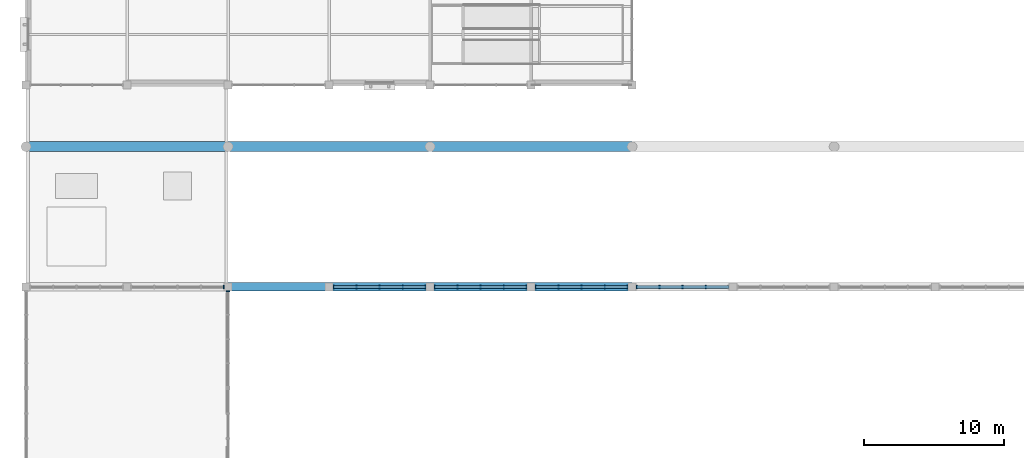
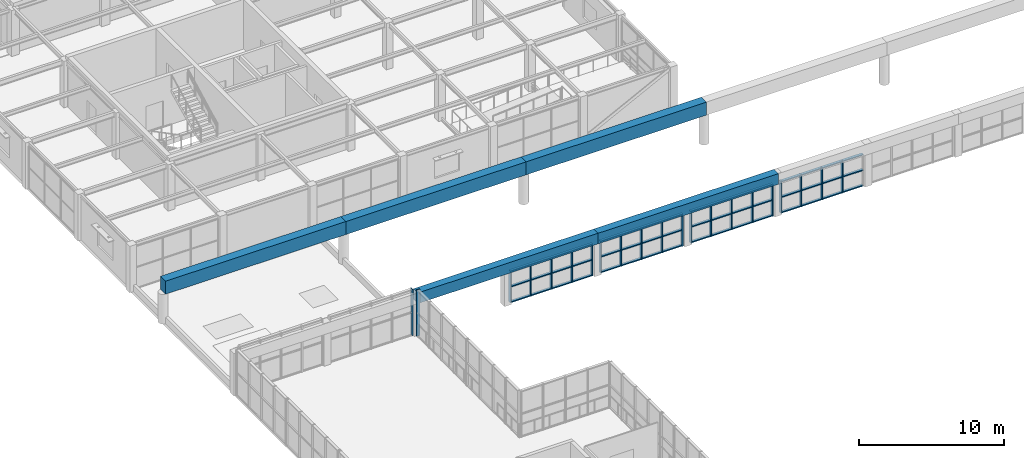
# One storey, part 10 of 83: 33 members, 5 beams, 6 elements without a shape of their own.
"""IFC4 building model written with IfcOpenShell, lengths in metres."""

from ifc_helpers import new_model, si_unit, direction, frame, origin, origin_2d, place, context, subcontext, project, spatial, rectangle, extrude, material, material_profile, profile_set, type_object, element, aggregate, save


model = new_model("IFC4")

# Units and contexts
model_context = context("Model", 3, precision=1e-05, world=origin(), true_north=direction((0.0, 1.0)))
body_context = subcontext(model_context, "Body", "Model", "MODEL_VIEW")
ifc_project = project(units=[si_unit("LENGTHUNIT", "METRE"), si_unit("AREAUNIT", "SQUARE_METRE"), si_unit("VOLUMEUNIT", "CUBIC_METRE"), si_unit("PLANEANGLEUNIT", "RADIAN"), si_unit("MASSUNIT", "GRAM", prefix="KILO")], contexts=[model_context])

# Site, building, storey
site_placement = place(None, origin())
site = spatial("IfcSite", under=ifc_project, at=site_placement, CompositionType="ELEMENT")
building_placement = place(site_placement, origin())
building = spatial("IfcBuilding", under=site, at=building_placement, Name="Leyfeld Transit Interchange", CompositionType="ELEMENT")
storey_placement = place(building_placement, frame((0.0, 0.0, 5.39990234375)))
storey = spatial("IfcBuildingStorey", under=building, at=storey_placement, Name="L01", CompositionType="ELEMENT", Elevation=5.39990234375)

# Beams
ifc_material_1 = material(Name="Concrete C40/50", Category="concrete")
ifc_material_profile_1 = material_profile(ifc_material_1, rectangle(XDim=0.699951171875, YDim=1.10009765625, at=origin_2d()), Name="RC 1100x700")
ifc_profile_set_1 = profile_set([ifc_material_profile_1], Name="Concrete C40/50")
beam_type_1 = type_object("IfcBeamType", Name="BM-RC-1100x700", PredefinedType="SPANDREL", material=ifc_profile_set_1)
beam_1_placement = place(storey_placement, frame((0.0, 60.39990234375, 3.050048828125), z_axis=(1.0, 0.0, 0.0), x_axis=(0.0, 1.0, 0.0)))
element("IfcBeam", 1, at=beam_1_placement, inside=storey, type_object=beam_type_1, Name="Concourse Vault Edge Beam N Bay 1", PredefinedType="SPANDREL", context=body_context, shape_type="SweptSolid", body=[
    extrude(rectangle(XDim=0.699951171875, YDim=1.10009765625, at=origin_2d()), origin(), (0.0, 0.0, 1.0), 14.39990234375),
])
beam_2_placement = place(storey_placement, frame((14.39990234375, 60.39990234375, 3.050048828125), z_axis=(1.0, 0.0, 0.0), x_axis=(0.0, 1.0, 0.0)))
element("IfcBeam", 2, at=beam_2_placement, inside=storey, type_object=beam_type_1, Name="Concourse Vault Edge Beam N Bay 2", PredefinedType="SPANDREL", context=body_context, shape_type="SweptSolid", body=[
    extrude(rectangle(XDim=0.699951171875, YDim=1.10009765625, at=origin_2d()), origin(), (0.0, 0.0, 1.0), 14.400146484375),
])
beam_3_placement = place(storey_placement, frame((28.800048828125, 60.39990234375, 3.050048828125), z_axis=(1.0, 0.0, 0.0), x_axis=(0.0, 1.0, 0.0)))
element("IfcBeam", 3, at=beam_3_placement, inside=storey, type_object=beam_type_1, Name="Concourse Vault Edge Beam N Bay 3", PredefinedType="SPANDREL", context=body_context, shape_type="SweptSolid", body=[
    extrude(rectangle(XDim=0.699951171875, YDim=1.10009765625, at=origin_2d()), origin(), (0.0, 0.0, 1.0), 14.39990234375),
])
ifc_material_2 = material(Name="Concrete C35/45", Category="concrete")
ifc_material_profile_2 = material_profile(ifc_material_2, rectangle(XDim=0.60009765625, YDim=0.89990234375, at=origin_2d()), Name="RC 900x600")
ifc_profile_set_2 = profile_set([ifc_material_profile_2], Name="Concrete C35/45")
beam_type_2 = type_object("IfcBeamType", Name="BM-RC-900x600", PredefinedType="JOIST", material=ifc_profile_set_2)
beam_4_placement = place(storey_placement, frame((14.39990234375, 50.39990234375, 3.150146484375), z_axis=(1.0, 0.0, 0.0), x_axis=(0.0, 1.0, 0.0)))
element("IfcBeam", 4, at=beam_4_placement, inside=storey, type_object=beam_type_2, Name="Concourse Hall Flank Beam HN Bay 2", PredefinedType="JOIST", context=body_context, shape_type="SweptSolid", body=[
    extrude(rectangle(XDim=0.60009765625, YDim=0.89990234375, at=origin_2d()), origin(), (0.0, 0.0, 1.0), 14.400146484375),
])
beam_5_placement = place(storey_placement, frame((28.800048828125, 50.39990234375, 3.150146484375), z_axis=(1.0, 0.0, 0.0), x_axis=(0.0, 1.0, 0.0)))
element("IfcBeam", 5, at=beam_5_placement, inside=storey, type_object=beam_type_2, Name="Concourse Hall Flank Beam HN Bay 3", PredefinedType="JOIST", context=body_context, shape_type="SweptSolid", body=[
    extrude(rectangle(XDim=0.60009765625, YDim=0.89990234375, at=origin_2d()), origin(), (0.0, 0.0, 1.0), 14.39990234375),
])

# Curtain wall, member
ifc_material_3 = material(Name="Anodised aluminium EN AW-6060 T66", Category="aluminium")
curtain_wall_type = type_object("IfcCurtainWallType", Name="CW-SYS-ARC-7200", PredefinedType="NOTDEFINED", material=ifc_material_3)
curtain_wall_1_placement = place(storey_placement, origin())
curtain_wall_1 = element("IfcCurtainWall", 6, at=curtain_wall_1_placement, inside=storey, type_object=curtain_wall_type, Name="Curtain Wall CW-L01-058", PredefinedType="NOTDEFINED")
ifc_material_profile_3 = material_profile(ifc_material_3, rectangle(XDim=0.0849609375, YDim=0.260009765625, at=origin_2d()), Name="CW-M 85x260")
ifc_profile_set_3 = profile_set([ifc_material_profile_3], Name="Anodised aluminium EN AW-6060 T66")
member_type_1 = type_object("IfcMemberType", Name="CW-MUL-220x80", PredefinedType="MULLION", material=ifc_profile_set_3)
member_1_placement = place(storey_placement, frame((14.092529296875, 50.39990234375, 0.0), z_axis=(0.0, 0.0, 1.0), x_axis=(1.0, 0.0, 0.0)))
member_1 = element("IfcMember", 7, at=member_1_placement, type_object=member_type_1, Name="Curtain Mullion CW-L01-058-M05", PredefinedType="MULLION", context=body_context, shape_type="SweptSolid", body=[
    extrude(rectangle(XDim=0.0849609375, YDim=0.260009765625, at=origin_2d()), origin(), (0.0, 0.0, 1.0), 3.900146484375),
])
aggregate(curtain_wall_1, [member_1])

curtain_wall_2_placement = place(storey_placement, origin())
curtain_wall_2 = element("IfcCurtainWall", 8, at=curtain_wall_2_placement, inside=storey, type_object=curtain_wall_type, Name="Curtain Wall CW-L01-059", PredefinedType="NOTDEFINED")
member_2_placement = place(storey_placement, frame((14.39990234375, 50.092529296875, 0.0), z_axis=(0.0, 0.0, 1.0), x_axis=(0.0, -1.0, 0.0)))
member_2 = element("IfcMember", 9, at=member_2_placement, type_object=member_type_1, Name="Curtain Mullion CW-L01-059-M01", PredefinedType="MULLION", context=body_context, shape_type="SweptSolid", body=[
    extrude(rectangle(XDim=0.0849609375, YDim=0.260009765625, at=origin_2d()), origin(), (0.0, 0.0, 1.0), 3.900146484375),
])
aggregate(curtain_wall_2, [member_2])

# Curtain wall, members
curtain_wall_3_placement = place(storey_placement, origin())
curtain_wall_3 = element("IfcCurtainWall", 10, at=curtain_wall_3_placement, inside=storey, type_object=curtain_wall_type, Name="Curtain Wall CW-L01-CLR-160", PredefinedType="NOTDEFINED")
member_3_placement = place(storey_placement, frame((28.45751953125, 50.39990234375, 0.0), z_axis=(0.0, 0.0, 1.0), x_axis=(-1.0, 0.0, 0.0)))
member_3 = element("IfcMember", 11, at=member_3_placement, type_object=member_type_1, Name="Curtain Mullion CW-L01-CLR-160-M01", PredefinedType="MULLION", context=body_context, shape_type="SweptSolid", body=[
    extrude(rectangle(XDim=0.0849609375, YDim=0.260009765625, at=origin_2d()), origin(), (0.0, 0.0, 1.0), 2.7001953125),
])
member_4_placement = place(storey_placement, frame((26.85009765625, 50.39990234375, 0.0), z_axis=(0.0, 0.0, 1.0), x_axis=(-1.0, 0.0, 0.0)))
member_4 = element("IfcMember", 12, at=member_4_placement, type_object=member_type_1, Name="Curtain Mullion CW-L01-CLR-160-M02", PredefinedType="MULLION", context=body_context, shape_type="SweptSolid", body=[
    extrude(rectangle(XDim=0.0849609375, YDim=0.260009765625, at=origin_2d()), origin(), (0.0, 0.0, 1.0), 2.7001953125),
])
member_5_placement = place(storey_placement, frame((25.199951171875, 50.39990234375, 0.0), z_axis=(0.0, 0.0, 1.0), x_axis=(-1.0, 0.0, 0.0)))
member_5 = element("IfcMember", 13, at=member_5_placement, type_object=member_type_1, Name="Curtain Mullion CW-L01-CLR-160-M03", PredefinedType="MULLION", context=body_context, shape_type="SweptSolid", body=[
    extrude(rectangle(XDim=0.0849609375, YDim=0.260009765625, at=origin_2d()), origin(), (0.0, 0.0, 1.0), 2.7001953125),
])
member_6_placement = place(storey_placement, frame((23.550048828125, 50.39990234375, 0.0), z_axis=(0.0, 0.0, 1.0), x_axis=(-1.0, 0.0, 0.0)))
member_6 = element("IfcMember", 14, at=member_6_placement, type_object=member_type_1, Name="Curtain Mullion CW-L01-CLR-160-M04", PredefinedType="MULLION", context=body_context, shape_type="SweptSolid", body=[
    extrude(rectangle(XDim=0.0849609375, YDim=0.260009765625, at=origin_2d()), origin(), (0.0, 0.0, 1.0), 2.7001953125),
])
member_7_placement = place(storey_placement, frame((21.9423828125, 50.39990234375, 0.0), z_axis=(0.0, 0.0, 1.0), x_axis=(-1.0, 0.0, 0.0)))
member_7 = element("IfcMember", 15, at=member_7_placement, type_object=member_type_1, Name="Curtain Mullion CW-L01-CLR-160-M05", PredefinedType="MULLION", context=body_context, shape_type="SweptSolid", body=[
    extrude(rectangle(XDim=0.0849609375, YDim=0.260009765625, at=origin_2d()), origin(), (0.0, 0.0, 1.0), 2.7001953125),
])

curtain_wall_4_placement = place(storey_placement, origin())
curtain_wall_4 = element("IfcCurtainWall", 16, at=curtain_wall_4_placement, inside=storey, type_object=curtain_wall_type, Name="Curtain Wall CW-L01-CLR-161", PredefinedType="NOTDEFINED")
member_8_placement = place(storey_placement, frame((35.657470703125, 50.39990234375, 0.0), z_axis=(0.0, 0.0, 1.0), x_axis=(-1.0, 0.0, 0.0)))
member_8 = element("IfcMember", 17, at=member_8_placement, type_object=member_type_1, Name="Curtain Mullion CW-L01-CLR-161-M01", PredefinedType="MULLION", context=body_context, shape_type="SweptSolid", body=[
    extrude(rectangle(XDim=0.0849609375, YDim=0.260009765625, at=origin_2d()), origin(), (0.0, 0.0, 1.0), 2.7001953125),
])
member_9_placement = place(storey_placement, frame((34.050048828125, 50.39990234375, 0.0), z_axis=(0.0, 0.0, 1.0), x_axis=(-1.0, 0.0, 0.0)))
member_9 = element("IfcMember", 18, at=member_9_placement, type_object=member_type_1, Name="Curtain Mullion CW-L01-CLR-161-M02", PredefinedType="MULLION", context=body_context, shape_type="SweptSolid", body=[
    extrude(rectangle(XDim=0.0849609375, YDim=0.260009765625, at=origin_2d()), origin(), (0.0, 0.0, 1.0), 2.7001953125),
])
member_10_placement = place(storey_placement, frame((32.39990234375, 50.39990234375, 0.0), z_axis=(0.0, 0.0, 1.0), x_axis=(-1.0, 0.0, 0.0)))
member_10 = element("IfcMember", 19, at=member_10_placement, type_object=member_type_1, Name="Curtain Mullion CW-L01-CLR-161-M03", PredefinedType="MULLION", context=body_context, shape_type="SweptSolid", body=[
    extrude(rectangle(XDim=0.0849609375, YDim=0.260009765625, at=origin_2d()), origin(), (0.0, 0.0, 1.0), 2.7001953125),
])
member_11_placement = place(storey_placement, frame((30.75, 50.39990234375, 0.0), z_axis=(0.0, 0.0, 1.0), x_axis=(-1.0, 0.0, 0.0)))
member_11 = element("IfcMember", 20, at=member_11_placement, type_object=member_type_1, Name="Curtain Mullion CW-L01-CLR-161-M04", PredefinedType="MULLION", context=body_context, shape_type="SweptSolid", body=[
    extrude(rectangle(XDim=0.0849609375, YDim=0.260009765625, at=origin_2d()), origin(), (0.0, 0.0, 1.0), 2.7001953125),
])
member_12_placement = place(storey_placement, frame((29.142578125, 50.39990234375, 0.0), z_axis=(0.0, 0.0, 1.0), x_axis=(-1.0, 0.0, 0.0)))
member_12 = element("IfcMember", 21, at=member_12_placement, type_object=member_type_1, Name="Curtain Mullion CW-L01-CLR-161-M05", PredefinedType="MULLION", context=body_context, shape_type="SweptSolid", body=[
    extrude(rectangle(XDim=0.0849609375, YDim=0.260009765625, at=origin_2d()), origin(), (0.0, 0.0, 1.0), 2.7001953125),
])

curtain_wall_5_placement = place(storey_placement, origin())
curtain_wall_5 = element("IfcCurtainWall", 22, at=curtain_wall_5_placement, inside=storey, type_object=curtain_wall_type, Name="Curtain Wall CW-L01-CLR-162", PredefinedType="NOTDEFINED")
member_13_placement = place(storey_placement, frame((42.857421875, 50.39990234375, 0.0), z_axis=(0.0, 0.0, 1.0), x_axis=(-1.0, 0.0, 0.0)))
member_13 = element("IfcMember", 23, at=member_13_placement, type_object=member_type_1, Name="Curtain Mullion CW-L01-CLR-162-M01", PredefinedType="MULLION", context=body_context, shape_type="SweptSolid", body=[
    extrude(rectangle(XDim=0.0849609375, YDim=0.260009765625, at=origin_2d()), origin(), (0.0, 0.0, 1.0), 2.7001953125),
])
member_14_placement = place(storey_placement, frame((41.25, 50.39990234375, 0.0), z_axis=(0.0, 0.0, 1.0), x_axis=(-1.0, 0.0, 0.0)))
member_14 = element("IfcMember", 24, at=member_14_placement, type_object=member_type_1, Name="Curtain Mullion CW-L01-CLR-162-M02", PredefinedType="MULLION", context=body_context, shape_type="SweptSolid", body=[
    extrude(rectangle(XDim=0.0849609375, YDim=0.260009765625, at=origin_2d()), origin(), (0.0, 0.0, 1.0), 2.7001953125),
])
member_15_placement = place(storey_placement, frame((39.60009765625, 50.39990234375, 0.0), z_axis=(0.0, 0.0, 1.0), x_axis=(-1.0, 0.0, 0.0)))
member_15 = element("IfcMember", 25, at=member_15_placement, type_object=member_type_1, Name="Curtain Mullion CW-L01-CLR-162-M03", PredefinedType="MULLION", context=body_context, shape_type="SweptSolid", body=[
    extrude(rectangle(XDim=0.0849609375, YDim=0.260009765625, at=origin_2d()), origin(), (0.0, 0.0, 1.0), 2.7001953125),
])
member_16_placement = place(storey_placement, frame((37.949951171875, 50.39990234375, 0.0), z_axis=(0.0, 0.0, 1.0), x_axis=(-1.0, 0.0, 0.0)))
member_16 = element("IfcMember", 26, at=member_16_placement, type_object=member_type_1, Name="Curtain Mullion CW-L01-CLR-162-M04", PredefinedType="MULLION", context=body_context, shape_type="SweptSolid", body=[
    extrude(rectangle(XDim=0.0849609375, YDim=0.260009765625, at=origin_2d()), origin(), (0.0, 0.0, 1.0), 2.7001953125),
])
member_17_placement = place(storey_placement, frame((36.342529296875, 50.39990234375, 0.0), z_axis=(0.0, 0.0, 1.0), x_axis=(-1.0, 0.0, 0.0)))
member_17 = element("IfcMember", 27, at=member_17_placement, type_object=member_type_1, Name="Curtain Mullion CW-L01-CLR-162-M05", PredefinedType="MULLION", context=body_context, shape_type="SweptSolid", body=[
    extrude(rectangle(XDim=0.0849609375, YDim=0.260009765625, at=origin_2d()), origin(), (0.0, 0.0, 1.0), 2.7001953125),
])

curtain_wall_6_placement = place(storey_placement, origin())
curtain_wall_6 = element("IfcCurtainWall", 28, at=curtain_wall_6_placement, inside=storey, type_object=curtain_wall_type, Name="Curtain Wall CW-L01-CLR-163", PredefinedType="NOTDEFINED")
member_18_placement = place(storey_placement, frame((48.449951171875, 50.39990234375, 0.0), z_axis=(0.0, 0.0, 1.0), x_axis=(-1.0, 0.0, 0.0)))
member_18 = element("IfcMember", 29, at=member_18_placement, type_object=member_type_1, Name="Curtain Mullion CW-L01-CLR-163-M02", PredefinedType="MULLION", context=body_context, shape_type="SweptSolid", body=[
    extrude(rectangle(XDim=0.0849609375, YDim=0.260009765625, at=origin_2d()), origin(), (0.0, 0.0, 1.0), 2.7001953125),
])
member_19_placement = place(storey_placement, frame((46.800048828125, 50.39990234375, 0.0), z_axis=(0.0, 0.0, 1.0), x_axis=(-1.0, 0.0, 0.0)))
member_19 = element("IfcMember", 30, at=member_19_placement, type_object=member_type_1, Name="Curtain Mullion CW-L01-CLR-163-M03", PredefinedType="MULLION", context=body_context, shape_type="SweptSolid", body=[
    extrude(rectangle(XDim=0.0849609375, YDim=0.260009765625, at=origin_2d()), origin(), (0.0, 0.0, 1.0), 2.7001953125),
])
member_20_placement = place(storey_placement, frame((45.14990234375, 50.39990234375, 0.0), z_axis=(0.0, 0.0, 1.0), x_axis=(-1.0, 0.0, 0.0)))
member_20 = element("IfcMember", 31, at=member_20_placement, type_object=member_type_1, Name="Curtain Mullion CW-L01-CLR-163-M04", PredefinedType="MULLION", context=body_context, shape_type="SweptSolid", body=[
    extrude(rectangle(XDim=0.0849609375, YDim=0.260009765625, at=origin_2d()), origin(), (0.0, 0.0, 1.0), 2.7001953125),
])
member_21_placement = place(storey_placement, frame((43.54248046875, 50.39990234375, 0.0), z_axis=(0.0, 0.0, 1.0), x_axis=(-1.0, 0.0, 0.0)))
member_21 = element("IfcMember", 32, at=member_21_placement, type_object=member_type_1, Name="Curtain Mullion CW-L01-CLR-163-M05", PredefinedType="MULLION", context=body_context, shape_type="SweptSolid", body=[
    extrude(rectangle(XDim=0.0849609375, YDim=0.260009765625, at=origin_2d()), origin(), (0.0, 0.0, 1.0), 2.7001953125),
])

# Member
ifc_material_profile_4 = material_profile(ifc_material_3, rectangle(XDim=0.2099609375, YDim=0.0849609375, at=origin_2d()), Name="CW-TRN-200x80")
ifc_profile_set_4 = profile_set([ifc_material_profile_4], Name="Anodised aluminium EN AW-6060 T66")
member_type_2 = type_object("IfcMemberType", Name="CW-TRN-200x80", PredefinedType="USERDEFINED", material=ifc_profile_set_4)
member_22_placement = place(storey_placement, frame((28.5, 50.39990234375, 0.04248046875), z_axis=(-1.0, 0.0, 0.0), x_axis=(0.0, -1.0, 0.0)))
member_22 = element("IfcMember", 33, at=member_22_placement, type_object=member_type_2, Name="Curtain Transom CW-L01-CLR-160-T01", ObjectType="TRANSOM", PredefinedType="USERDEFINED", context=body_context, shape_type="SweptSolid", body=[
    extrude(rectangle(XDim=0.2099609375, YDim=0.0849609375, at=origin_2d()), origin(), (0.0, 0.0, 1.0), 6.60009765625),
])

member_23_placement = place(storey_placement, frame((28.5, 50.39990234375, 1.35009765625), z_axis=(-1.0, 0.0, 0.0), x_axis=(0.0, -1.0, 0.0)))
member_23 = element("IfcMember", 34, at=member_23_placement, type_object=member_type_2, Name="Curtain Transom CW-L01-CLR-160-T02", ObjectType="TRANSOM", PredefinedType="USERDEFINED", context=body_context, shape_type="SweptSolid", body=[
    extrude(rectangle(XDim=0.2099609375, YDim=0.0849609375, at=origin_2d()), origin(), (0.0, 0.0, 1.0), 6.60009765625),
])

member_24_placement = place(storey_placement, frame((28.5, 50.39990234375, 2.65771484375), z_axis=(-1.0, 0.0, 0.0), x_axis=(0.0, -1.0, 0.0)))
member_24 = element("IfcMember", 35, at=member_24_placement, type_object=member_type_2, Name="Curtain Transom CW-L01-CLR-160-T03", ObjectType="TRANSOM", PredefinedType="USERDEFINED", context=body_context, shape_type="SweptSolid", body=[
    extrude(rectangle(XDim=0.2099609375, YDim=0.0849609375, at=origin_2d()), origin(), (0.0, 0.0, 1.0), 6.60009765625),
])

aggregate(curtain_wall_3, [member_3, member_4, member_5, member_6, member_7, member_22, member_23, member_24])

member_25_placement = place(storey_placement, frame((35.699951171875, 50.39990234375, 0.04248046875), z_axis=(-1.0, 0.0, 0.0), x_axis=(0.0, -1.0, 0.0)))
member_25 = element("IfcMember", 36, at=member_25_placement, type_object=member_type_2, Name="Curtain Transom CW-L01-CLR-161-T01", ObjectType="TRANSOM", PredefinedType="USERDEFINED", context=body_context, shape_type="SweptSolid", body=[
    extrude(rectangle(XDim=0.2099609375, YDim=0.0849609375, at=origin_2d()), origin(), (0.0, 0.0, 1.0), 6.599853515625),
])

member_26_placement = place(storey_placement, frame((35.699951171875, 50.39990234375, 1.35009765625), z_axis=(-1.0, 0.0, 0.0), x_axis=(0.0, -1.0, 0.0)))
member_26 = element("IfcMember", 37, at=member_26_placement, type_object=member_type_2, Name="Curtain Transom CW-L01-CLR-161-T02", ObjectType="TRANSOM", PredefinedType="USERDEFINED", context=body_context, shape_type="SweptSolid", body=[
    extrude(rectangle(XDim=0.2099609375, YDim=0.0849609375, at=origin_2d()), origin(), (0.0, 0.0, 1.0), 6.599853515625),
])

member_27_placement = place(storey_placement, frame((35.699951171875, 50.39990234375, 2.65771484375), z_axis=(-1.0, 0.0, 0.0), x_axis=(0.0, -1.0, 0.0)))
member_27 = element("IfcMember", 38, at=member_27_placement, type_object=member_type_2, Name="Curtain Transom CW-L01-CLR-161-T03", ObjectType="TRANSOM", PredefinedType="USERDEFINED", context=body_context, shape_type="SweptSolid", body=[
    extrude(rectangle(XDim=0.2099609375, YDim=0.0849609375, at=origin_2d()), origin(), (0.0, 0.0, 1.0), 6.599853515625),
])

aggregate(curtain_wall_4, [member_8, member_9, member_10, member_11, member_12, member_25, member_26, member_27])

member_28_placement = place(storey_placement, frame((42.89990234375, 50.39990234375, 0.04248046875), z_axis=(-1.0, 0.0, 0.0), x_axis=(0.0, -1.0, 0.0)))
member_28 = element("IfcMember", 39, at=member_28_placement, type_object=member_type_2, Name="Curtain Transom CW-L01-CLR-162-T01", ObjectType="TRANSOM", PredefinedType="USERDEFINED", context=body_context, shape_type="SweptSolid", body=[
    extrude(rectangle(XDim=0.2099609375, YDim=0.0849609375, at=origin_2d()), origin(), (0.0, 0.0, 1.0), 6.599853515625),
])

member_29_placement = place(storey_placement, frame((42.89990234375, 50.39990234375, 1.35009765625), z_axis=(-1.0, 0.0, 0.0), x_axis=(0.0, -1.0, 0.0)))
member_29 = element("IfcMember", 40, at=member_29_placement, type_object=member_type_2, Name="Curtain Transom CW-L01-CLR-162-T02", ObjectType="TRANSOM", PredefinedType="USERDEFINED", context=body_context, shape_type="SweptSolid", body=[
    extrude(rectangle(XDim=0.2099609375, YDim=0.0849609375, at=origin_2d()), origin(), (0.0, 0.0, 1.0), 6.599853515625),
])

member_30_placement = place(storey_placement, frame((42.89990234375, 50.39990234375, 2.65771484375), z_axis=(-1.0, 0.0, 0.0), x_axis=(0.0, -1.0, 0.0)))
member_30 = element("IfcMember", 41, at=member_30_placement, type_object=member_type_2, Name="Curtain Transom CW-L01-CLR-162-T03", ObjectType="TRANSOM", PredefinedType="USERDEFINED", context=body_context, shape_type="SweptSolid", body=[
    extrude(rectangle(XDim=0.2099609375, YDim=0.0849609375, at=origin_2d()), origin(), (0.0, 0.0, 1.0), 6.599853515625),
])

aggregate(curtain_wall_5, [member_13, member_14, member_15, member_16, member_17, member_28, member_29, member_30])

member_31_placement = place(storey_placement, frame((50.10009765625, 50.39990234375, 0.04248046875), z_axis=(-1.0, 0.0, 0.0), x_axis=(0.0, -1.0, 0.0)))
member_31 = element("IfcMember", 42, at=member_31_placement, type_object=member_type_2, Name="Curtain Transom CW-L01-CLR-163-T01", ObjectType="TRANSOM", PredefinedType="USERDEFINED", context=body_context, shape_type="SweptSolid", body=[
    extrude(rectangle(XDim=0.2099609375, YDim=0.0849609375, at=origin_2d()), origin(), (0.0, 0.0, 1.0), 6.60009765625),
])

member_32_placement = place(storey_placement, frame((50.10009765625, 50.39990234375, 1.35009765625), z_axis=(-1.0, 0.0, 0.0), x_axis=(0.0, -1.0, 0.0)))
member_32 = element("IfcMember", 43, at=member_32_placement, type_object=member_type_2, Name="Curtain Transom CW-L01-CLR-163-T02", ObjectType="TRANSOM", PredefinedType="USERDEFINED", context=body_context, shape_type="SweptSolid", body=[
    extrude(rectangle(XDim=0.2099609375, YDim=0.0849609375, at=origin_2d()), origin(), (0.0, 0.0, 1.0), 6.60009765625),
])

member_33_placement = place(storey_placement, frame((50.10009765625, 50.39990234375, 2.65771484375), z_axis=(-1.0, 0.0, 0.0), x_axis=(0.0, -1.0, 0.0)))
member_33 = element("IfcMember", 44, at=member_33_placement, type_object=member_type_2, Name="Curtain Transom CW-L01-CLR-163-T03", ObjectType="TRANSOM", PredefinedType="USERDEFINED", context=body_context, shape_type="SweptSolid", body=[
    extrude(rectangle(XDim=0.2099609375, YDim=0.0849609375, at=origin_2d()), origin(), (0.0, 0.0, 1.0), 6.60009765625),
])

aggregate(curtain_wall_6, [member_18, member_19, member_20, member_21, member_31, member_32, member_33])

save(model, "model.ifc")
